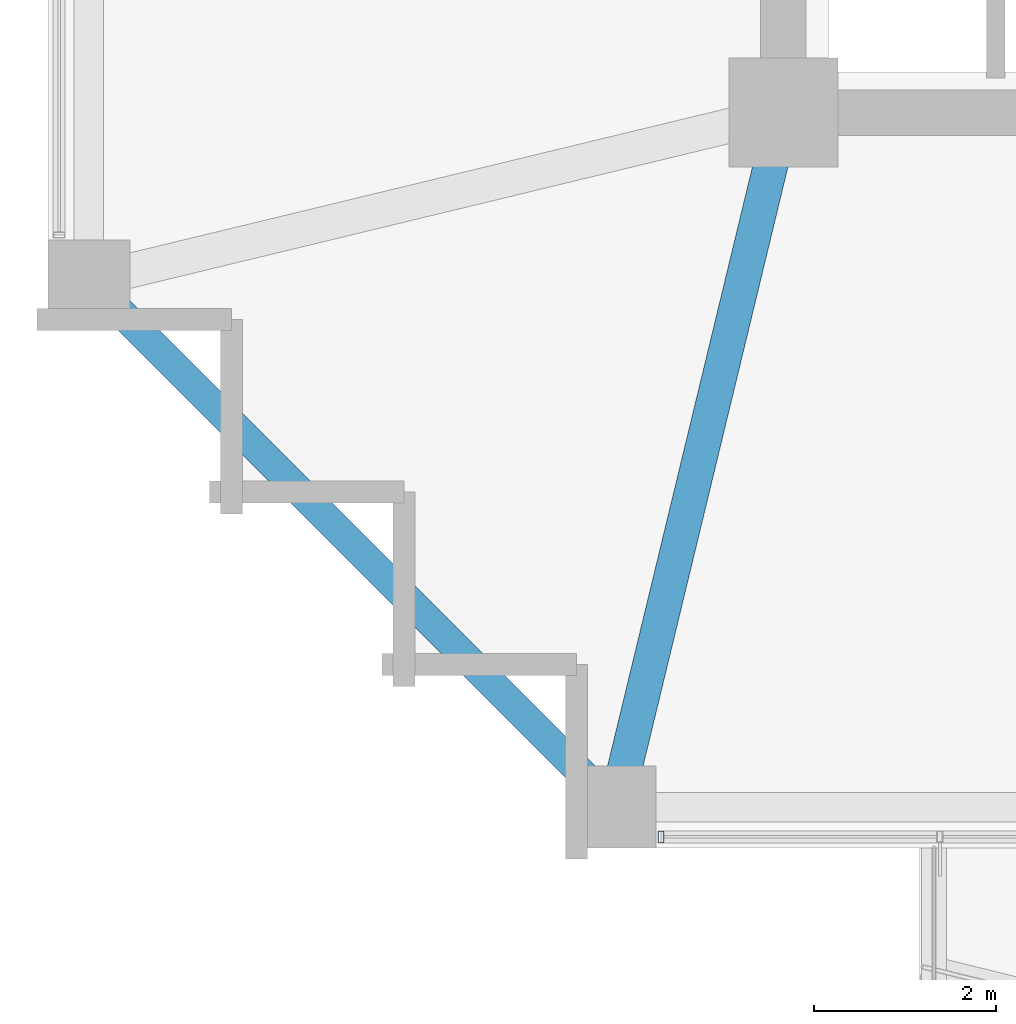
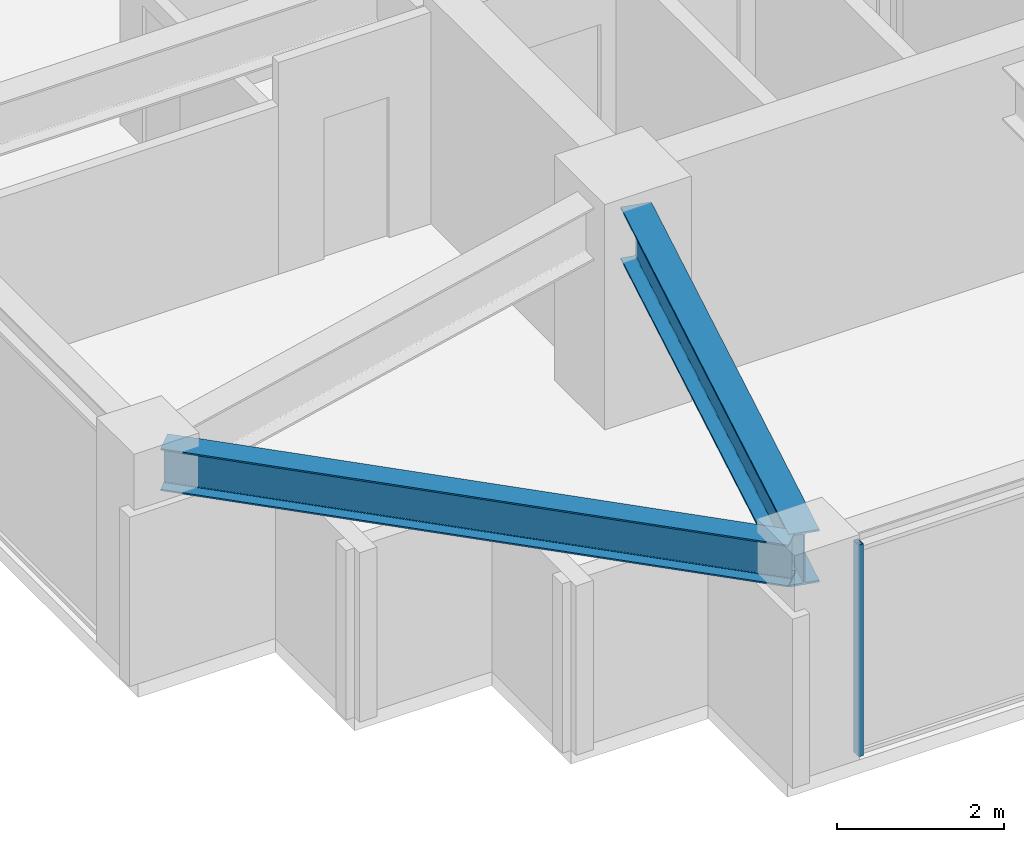
# One storey, part 2 of 31: 2 beams, 1 member, 1 element without a shape of its own.
"""IFC4 building model written with IfcOpenShell, lengths in metres."""

from ifc_helpers import new_model, si_unit, direction, frame, origin, origin_2d, place, context, subcontext, project, spatial, hollow_rectangle, i_section, extrude, material, material_profile, profile_set, type_object, element, aggregate, save


model = new_model("IFC4")

# Units and contexts
model_context = context("Model", 3, precision=1e-05, world=origin(), true_north=direction((0.0, 1.0)))
body_context = subcontext(model_context, "Body", "Model", "MODEL_VIEW")
ifc_project = project(units=[si_unit("LENGTHUNIT", "METRE"), si_unit("AREAUNIT", "SQUARE_METRE"), si_unit("VOLUMEUNIT", "CUBIC_METRE"), si_unit("PLANEANGLEUNIT", "RADIAN"), si_unit("MASSUNIT", "GRAM", prefix="KILO")], contexts=[model_context])

# Site, building, storey
site_placement = place(None, origin())
site = spatial("IfcSite", under=ifc_project, at=site_placement, CompositionType="ELEMENT")
building_placement = place(site_placement, origin())
building = spatial("IfcBuilding", under=site, at=building_placement, Name="Kolvaren Belvedere", CompositionType="ELEMENT")
storey_placement = place(building_placement, frame((0.0, 0.0, 134.89990234375)))
storey = spatial("IfcBuildingStorey", under=building, at=storey_placement, Name="L39", CompositionType="ELEMENT", Elevation=134.89990234375)

# Beams
ifc_material_1 = material(Name="Structural steel ASTM A992 Grade 50", Category="steel")
ifc_material_profile_1 = material_profile(ifc_material_1, i_section(OverallWidth=0.381103515625, OverallDepth=0.77294921875, WebThickness=0.0166015625, FlangeThickness=0.027099609375, FilletRadius=0.02392578125, at=origin_2d()), Name="W30X173")
ifc_profile_set_1 = profile_set([ifc_material_profile_1], Name="Structural steel ASTM A992 Grade 50")
beam_type_1 = type_object("IfcBeamType", Name="BM-GIRD-W30X173", PredefinedType="BEAM", material=ifc_profile_set_1)
beam_1_placement = place(storey_placement, frame((-10.029296875, -10.4345703125, 2.713623046875), z_axis=(-0.235062749937, -0.971980197119, 0.0), x_axis=(0.971980197119, -0.235062749937, 0.0)))
element("IfcBeam", 1, at=beam_1_placement, inside=storey, type_object=beam_type_1, Name="L39 Corner Core-to-Perimeter Girder CC1-S1", PredefinedType="BEAM", context=body_context, shape_type="SweptSolid", body=[
    extrude(i_section(OverallWidth=0.381103515625, OverallDepth=0.77294921875, WebThickness=0.0166015625, FlangeThickness=0.027099609375, FilletRadius=0.02392578125, at=origin_2d()), origin(), (0.0, 0.0, 1.0), 7.140625),
])
ifc_material_2 = material(Name="Structural steel ASTM A992 Grade 50", Category="steel")
ifc_material_profile_2 = material_profile(ifc_material_2, i_section(OverallWidth=0.324951171875, OverallDepth=0.615966796875, WebThickness=0.013916015625, FlangeThickness=0.021484375, FilletRadius=0.02001953125, at=origin_2d()), Name="W24X117")
ifc_profile_set_2 = profile_set([ifc_material_profile_2], Name="Structural steel ASTM A992 Grade 50")
beam_type_2 = type_object("IfcBeamType", Name="BM-SPAN-W24X117", PredefinedType="SPANDREL", material=ifc_profile_set_2)
beam_2_placement = place(storey_placement, frame((-17.40673828125, -11.893310546875, 2.7919921875), z_axis=(0.707106781187, -0.707106781187, 0.0), x_axis=(0.707106781187, 0.707106781187, 0.0)))
element("IfcBeam", 2, at=beam_2_placement, inside=storey, type_object=beam_type_2, Name="L39 Perimeter Spandrel W1-S1", PredefinedType="SPANDREL", context=body_context, shape_type="SweptSolid", body=[
    extrude(i_section(OverallWidth=0.324951171875, OverallDepth=0.615966796875, WebThickness=0.013916015625, FlangeThickness=0.021484375, FilletRadius=0.02001953125, at=origin_2d()), origin(), (0.0, 0.0, 1.0), 7.797119140625),
])

# Curtain wall, member
ifc_material_3 = material(Name="Anodised pale-metal aluminium AA 6063-T6", Category="aluminium")
curtain_wall_type = type_object("IfcCurtainWallType", Name="CW-Z3-WAIST", PredefinedType="NOTDEFINED", material=ifc_material_3)
curtain_wall_placement = place(storey_placement, origin())
curtain_wall = element("IfcCurtainWall", 3, at=curtain_wall_placement, inside=storey, type_object=curtain_wall_type, Name="L39 Unitised Curtain Wall FCW-L39-S2-B2", PredefinedType="NOTDEFINED")
ifc_material_4 = material(Name="Anodised pale-metal aluminium AA 6063-T6", Category="aluminium")
ifc_material_profile_3 = material_profile(ifc_material_4, hollow_rectangle(XDim=0.06494140625, YDim=0.1298828125, WallThickness=0.00390625, at=origin_2d()), Name="ALU-MUL-130X65")
ifc_profile_set_3 = profile_set([ifc_material_profile_3], Name="Anodised pale-metal aluminium AA 6063-T6")
member_type = type_object("IfcMemberType", Name="CW-MUL-130", PredefinedType="MULLION", material=ifc_profile_set_3)
member_placement = place(storey_placement, frame((-11.24755859375, -17.8798828125, 0.0), z_axis=(0.0, 0.0, 1.0), x_axis=(1.0, 0.0, 0.0)))
member = element("IfcMember", 4, at=member_placement, type_object=member_type, Name="FCW-L39-S2-B2 Unitised Mullion 3", PredefinedType="MULLION", context=body_context, shape_type="SweptSolid", body=[
    extrude(hollow_rectangle(XDim=0.06494140625, YDim=0.1298828125, WallThickness=0.00390625, at=origin_2d()), origin(), (0.0, 0.0, 1.0), 3.10009765625),
])
aggregate(curtain_wall, [member])

save(model, "model.ifc")
